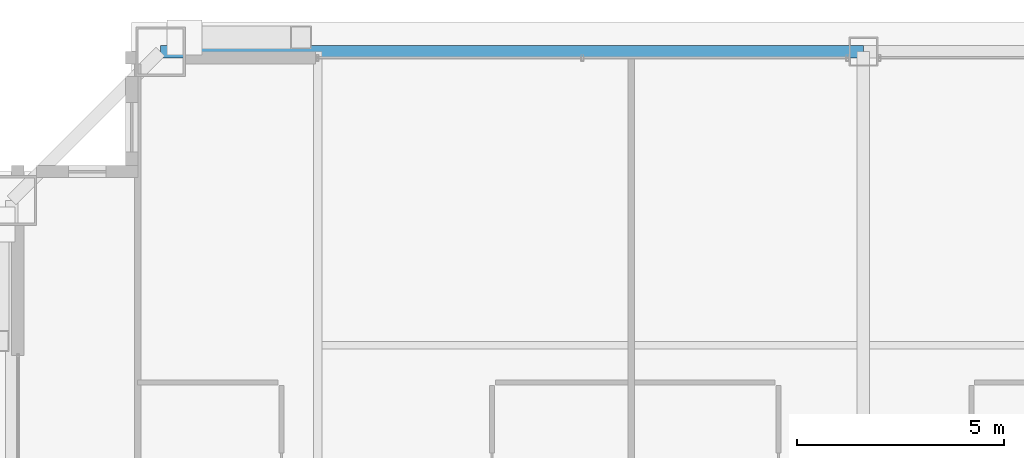
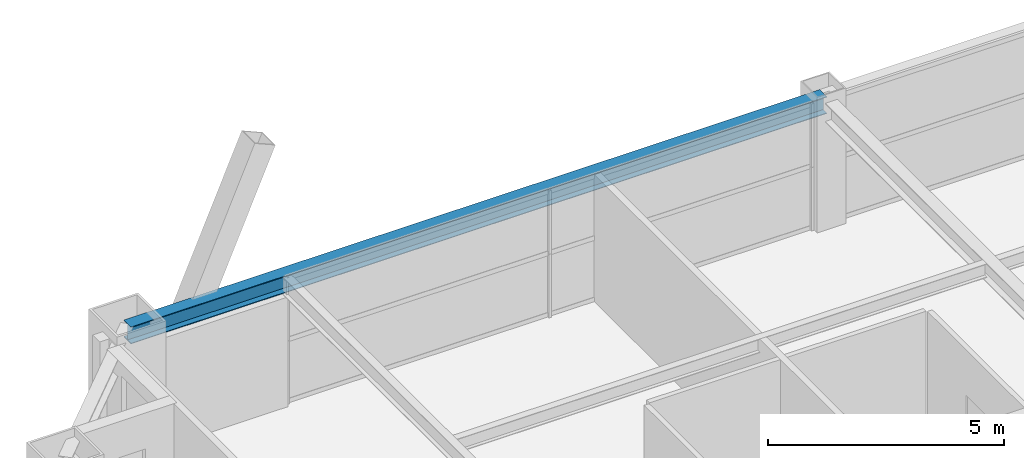
# One storey, part 22 of 33: 1 beam.
"""IFC4 building model written with IfcOpenShell, lengths in metres."""

from ifc_helpers import new_model, si_unit, direction, frame, origin, origin_2d, place, context, subcontext, project, spatial, i_section, extrude, source, transform, mapped, material, material_profile, profile_set, type_object, element, save


model = new_model("IFC4")

# Units and contexts
model_context = context("Model", 3, precision=1e-05, world=origin(), true_north=direction((0.0, 1.0)))
body_context = subcontext(model_context, "Body", "Model", "MODEL_VIEW")
ifc_project = project(units=[si_unit("LENGTHUNIT", "METRE"), si_unit("AREAUNIT", "SQUARE_METRE"), si_unit("VOLUMEUNIT", "CUBIC_METRE"), si_unit("PLANEANGLEUNIT", "RADIAN"), si_unit("MASSUNIT", "GRAM", prefix="KILO"), si_unit("THERMODYNAMICTEMPERATUREUNIT", "KELVIN"), si_unit("POWERUNIT", "WATT")], contexts=[model_context])

# Site, building, storey
site_placement = place(None, origin())
site = spatial("IfcSite", under=ifc_project, at=site_placement, CompositionType="ELEMENT")
building_placement = place(site_placement, origin())
building = spatial("IfcBuilding", under=site, at=building_placement, Name="Yuzanri Waterfront Tower", CompositionType="ELEMENT")
storey_placement = place(building_placement, frame((0.0, 0.0, 234.60009765625)))
storey = spatial("IfcBuildingStorey", under=building, at=storey_placement, Name="L62", CompositionType="ELEMENT", Elevation=234.60009765625)

# Beam
ifc_material = material(Name="Steel Q355B", Category="steel")
ifc_material_profile = material_profile(ifc_material, i_section(OverallWidth=0.300048828125, OverallDepth=0.43994140625, WebThickness=0.010986328125, FlangeThickness=0.01806640625, at=origin_2d()), Name="HM 440x300x11x18")
ifc_profile_set = profile_set([ifc_material_profile], Name="Steel Q355B")
beam_type = type_object("IfcBeamType", Name="Perimeter Spandrel Q355B HM 440x300", PredefinedType="SPANDREL", material=ifc_profile_set)
shared_shape = source(origin(), body_context, "Body", "SweptSolid", [
    extrude(i_section(OverallWidth=0.300048828125, OverallDepth=0.43994140625, WebThickness=0.010986328125, FlangeThickness=0.01806640625, at=origin_2d()), origin(), (0.0, 0.0, 1.0), 17.0),
])
beam_placement = place(storey_placement, frame((37.0, 46.39990234375, 3.059814453125), z_axis=(-1.0, 0.0, 0.0), x_axis=(0.0, -1.0, 0.0)))
element("IfcBeam", 1, at=beam_placement, inside=storey, type_object=beam_type, Name="L62 Perimeter Spandrel N2-N1", PredefinedType="SPANDREL", context=body_context, shape_type="MappedRepresentation", body=[
    mapped(shared_shape, transform((0.0, 0.0, 0.0), scale=1.0)),
])

save(model, "model.ifc")
